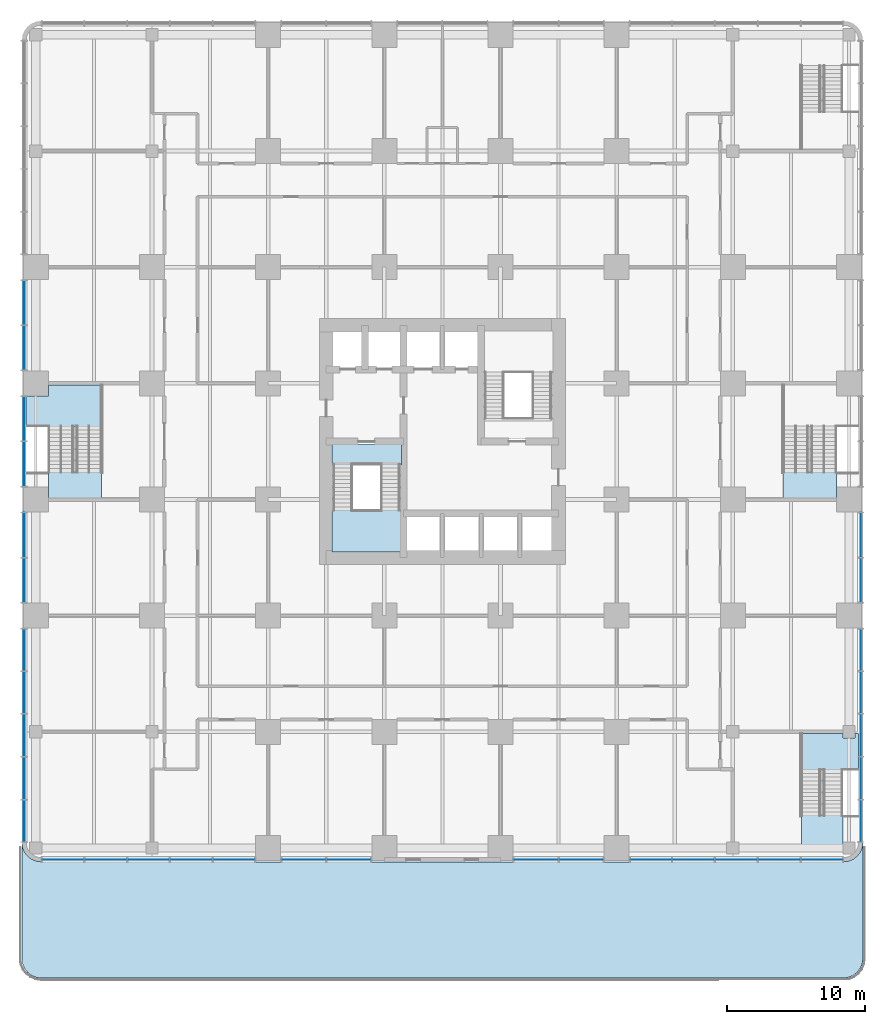
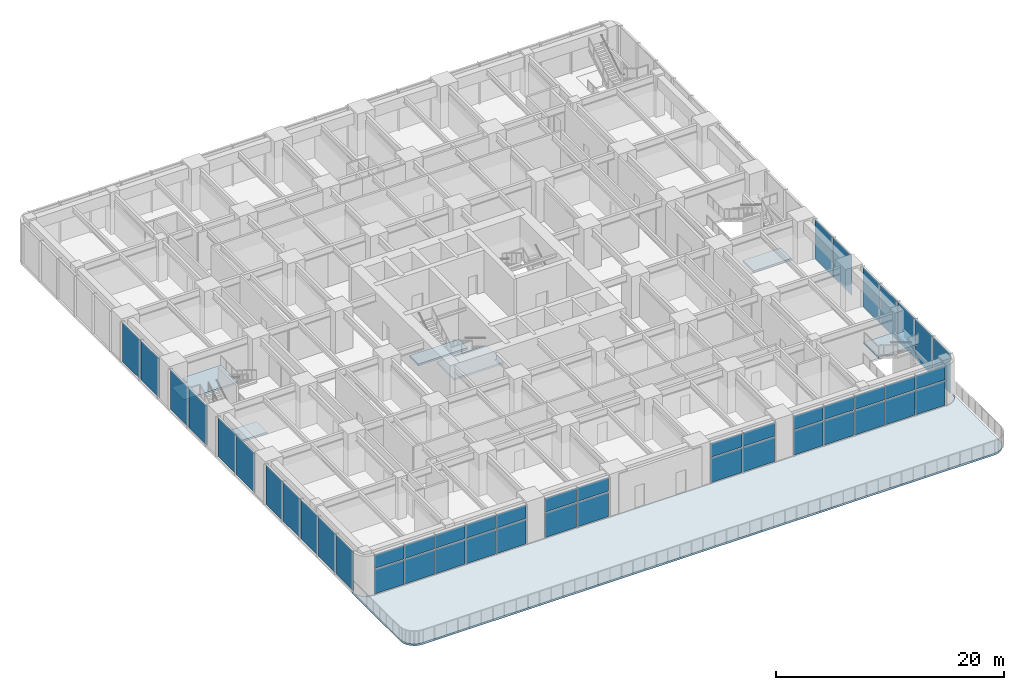
# One storey, part 8 of 19: 46 plates, 8 slabs, 8 elements without a shape of their own.
"""IFC4 building model written with IfcOpenShell, lengths in metres."""

from ifc_helpers import new_model, si_unit, direction, frame, origin, origin_2d, place, context, subcontext, project, spatial, polyline, rectangle, outline, extrude, material, layer, layer_set, type_object, element, aggregate, save


model = new_model("IFC4")

# Units and contexts
model_context = context("Model", 3, precision=1e-05, world=origin(), true_north=direction((0.0, 1.0)))
body_context = subcontext(model_context, "Body", "Model", "MODEL_VIEW")
ifc_project = project(units=[si_unit("LENGTHUNIT", "METRE"), si_unit("AREAUNIT", "SQUARE_METRE"), si_unit("VOLUMEUNIT", "CUBIC_METRE"), si_unit("PLANEANGLEUNIT", "RADIAN"), si_unit("MASSUNIT", "GRAM", prefix="KILO")], contexts=[model_context])

# Site, building, storey
site_placement = place(None, origin())
site = spatial("IfcSite", under=ifc_project, at=site_placement, CompositionType="ELEMENT")
building_placement = place(site_placement, origin())
building = spatial("IfcBuilding", under=site, at=building_placement, Name="Torre Alcanfor", CompositionType="ELEMENT")
storey_placement = place(building_placement, frame((0.0, 0.0, 15.0)))
storey = spatial("IfcBuildingStorey", under=building, at=storey_placement, Name="L03", CompositionType="ELEMENT", Elevation=15.0)

# Curtain wall, plates
ifc_material_1 = material(Name="Aluminium and glass", Category="aluminium")
curtain_wall_type_1 = type_object("IfcCurtainWallType", Name="CW-B unitised classroom glazing with vertical FIN", PredefinedType="NOTDEFINED", material=ifc_material_1)
curtain_wall_1_placement = place(storey_placement, origin())
curtain_wall_1 = element("IfcCurtainWall", 1, at=curtain_wall_1_placement, inside=storey, type_object=curtain_wall_type_1, Name="Curtain wall CW-B L03 1", PredefinedType="NOTDEFINED")
ifc_material_2 = material(Name="Glass", Category="glass")
ifc_layer_1 = layer(ifc_material_2, 0.028076171875)
ifc_layer_set_1 = layer_set([ifc_layer_1], Name="CW-B clear double glazed unit")
plate_type_1 = type_object("IfcPlateType", Name="CW-B clear double glazed unit", PredefinedType="CURTAIN_PANEL", material=ifc_layer_set_1)
plate_1_placement = place(storey_placement, frame((59.64990234375, 1.9658203125, 0.0), z_axis=(0.0, 0.0, 1.0), x_axis=(0.0, 1.0, 0.0)))
plate_1 = element("IfcPlate", 2, at=plate_1_placement, type_object=plate_type_1, Name="CW-B panel 1.1.1", PredefinedType="CURTAIN_PANEL", context=body_context, shape_type="SweptSolid", body=[
    extrude(rectangle(XDim=3.00146484375, YDim=0.028076171875, at=origin_2d()), origin(), (0.0, 0.0, 1.0), 4.235107421875),
])
plate_2_placement = place(storey_placement, frame((59.64990234375, 5.048583984375, 0.0), z_axis=(0.0, 0.0, 1.0), x_axis=(0.0, 1.0, 0.0)))
plate_2 = element("IfcPlate", 3, at=plate_2_placement, type_object=plate_type_1, Name="CW-B panel 1.2.1", PredefinedType="CURTAIN_PANEL", context=body_context, shape_type="SweptSolid", body=[
    extrude(rectangle(XDim=3.033935546875, YDim=0.028076171875, at=origin_2d()), origin(), (0.0, 0.0, 1.0), 4.235107421875),
])
plate_3_placement = place(storey_placement, frame((59.64990234375, 8.1474609375, 0.0), z_axis=(0.0, 0.0, 1.0), x_axis=(0.0, 1.0, 0.0)))
plate_3 = element("IfcPlate", 4, at=plate_3_placement, type_object=plate_type_1, Name="CW-B panel 1.3.1", PredefinedType="CURTAIN_PANEL", context=body_context, shape_type="SweptSolid", body=[
    extrude(rectangle(XDim=3.033935546875, YDim=0.028076171875, at=origin_2d()), origin(), (0.0, 0.0, 1.0), 4.235107421875),
])
plate_4_placement = place(storey_placement, frame((59.64990234375, 11.24658203125, 0.0), z_axis=(0.0, 0.0, 1.0), x_axis=(0.0, 1.0, 0.0)))
plate_4 = element("IfcPlate", 5, at=plate_4_placement, type_object=plate_type_1, Name="CW-B panel 1.4.1", PredefinedType="CURTAIN_PANEL", context=body_context, shape_type="SweptSolid", body=[
    extrude(rectangle(XDim=3.033935546875, YDim=0.028076171875, at=origin_2d()), origin(), (0.0, 0.0, 1.0), 4.235107421875),
])
plate_5_placement = place(storey_placement, frame((59.64990234375, 14.329345703125, 0.0), z_axis=(0.0, 0.0, 1.0), x_axis=(0.0, 1.0, 0.0)))
plate_5 = element("IfcPlate", 6, at=plate_5_placement, type_object=plate_type_1, Name="CW-B panel 1.5.1", PredefinedType="CURTAIN_PANEL", context=body_context, shape_type="SweptSolid", body=[
    extrude(rectangle(XDim=3.00146484375, YDim=0.028076171875, at=origin_2d()), origin(), (0.0, 0.0, 1.0), 4.235107421875),
])
plate_6_placement = place(storey_placement, frame((59.64990234375, 19.36865234375, 0.0), z_axis=(0.0, 0.0, 1.0), x_axis=(0.0, 1.0, 0.0)))
plate_6 = element("IfcPlate", 7, at=plate_6_placement, type_object=plate_type_1, Name="CW-B panel 2.1.1", PredefinedType="CURTAIN_PANEL", context=body_context, shape_type="SweptSolid", body=[
    extrude(rectangle(XDim=3.197509765625, YDim=0.028076171875, at=origin_2d()), origin(), (0.0, 0.0, 1.0), 4.235107421875),
])
plate_7_placement = place(storey_placement, frame((59.64990234375, 22.63134765625, 0.0), z_axis=(0.0, 0.0, 1.0), x_axis=(0.0, 1.0, 0.0)))
plate_7 = element("IfcPlate", 8, at=plate_7_placement, type_object=plate_type_1, Name="CW-B panel 2.2.1", PredefinedType="CURTAIN_PANEL", context=body_context, shape_type="SweptSolid", body=[
    extrude(rectangle(XDim=3.197509765625, YDim=0.028076171875, at=origin_2d()), origin(), (0.0, 0.0, 1.0), 4.235107421875),
])
aggregate(curtain_wall_1, [plate_1, plate_2, plate_3, plate_4, plate_5, plate_6, plate_7])

curtain_wall_2_placement = place(storey_placement, origin())
curtain_wall_2 = element("IfcCurtainWall", 9, at=curtain_wall_2_placement, inside=storey, type_object=curtain_wall_type_1, Name="Curtain wall CW-B L03 3", PredefinedType="NOTDEFINED")
plate_8_placement = place(storey_placement, frame((-0.85009765625, 39.43115234375, 0.0), z_axis=(0.0, 0.0, 1.0), x_axis=(0.0, -1.0, 0.0)))
plate_8 = element("IfcPlate", 10, at=plate_8_placement, type_object=plate_type_1, Name="CW-B panel 2.1.1", PredefinedType="CURTAIN_PANEL", context=body_context, shape_type="SweptSolid", body=[
    extrude(rectangle(XDim=3.197509765625, YDim=0.028076171875, at=origin_2d()), origin(), (0.0, 0.0, 1.0), 4.235107421875),
])
plate_9_placement = place(storey_placement, frame((-0.85009765625, 36.168701171875, 0.0), z_axis=(0.0, 0.0, 1.0), x_axis=(0.0, -1.0, 0.0)))
plate_9 = element("IfcPlate", 11, at=plate_9_placement, type_object=plate_type_1, Name="CW-B panel 2.2.1", PredefinedType="CURTAIN_PANEL", context=body_context, shape_type="SweptSolid", body=[
    extrude(rectangle(XDim=3.197509765625, YDim=0.028076171875, at=origin_2d()), origin(), (0.0, 0.0, 1.0), 4.235107421875),
])
plate_10_placement = place(storey_placement, frame((-0.85009765625, 31.03125, 0.0), z_axis=(0.0, 0.0, 1.0), x_axis=(0.0, -1.0, 0.0)))
plate_10 = element("IfcPlate", 12, at=plate_10_placement, type_object=plate_type_1, Name="CW-B panel 3.1.1", PredefinedType="CURTAIN_PANEL", context=body_context, shape_type="SweptSolid", body=[
    extrude(rectangle(XDim=3.197509765625, YDim=0.028076171875, at=origin_2d()), origin(), (0.0, 0.0, 1.0), 4.235107421875),
])
plate_11_placement = place(storey_placement, frame((-0.85009765625, 27.768798828125, 0.0), z_axis=(0.0, 0.0, 1.0), x_axis=(0.0, -1.0, 0.0)))
plate_11 = element("IfcPlate", 13, at=plate_11_placement, type_object=plate_type_1, Name="CW-B panel 3.2.1", PredefinedType="CURTAIN_PANEL", context=body_context, shape_type="SweptSolid", body=[
    extrude(rectangle(XDim=3.197509765625, YDim=0.028076171875, at=origin_2d()), origin(), (0.0, 0.0, 1.0), 4.235107421875),
])
plate_12_placement = place(storey_placement, frame((-0.85009765625, 22.63134765625, 0.0), z_axis=(0.0, 0.0, 1.0), x_axis=(0.0, -1.0, 0.0)))
plate_12 = element("IfcPlate", 14, at=plate_12_placement, type_object=plate_type_1, Name="CW-B panel 4.1.1", PredefinedType="CURTAIN_PANEL", context=body_context, shape_type="SweptSolid", body=[
    extrude(rectangle(XDim=3.197509765625, YDim=0.028076171875, at=origin_2d()), origin(), (0.0, 0.0, 1.0), 4.235107421875),
])
plate_13_placement = place(storey_placement, frame((-0.85009765625, 19.36865234375, 0.0), z_axis=(0.0, 0.0, 1.0), x_axis=(0.0, -1.0, 0.0)))
plate_13 = element("IfcPlate", 15, at=plate_13_placement, type_object=plate_type_1, Name="CW-B panel 4.2.1", PredefinedType="CURTAIN_PANEL", context=body_context, shape_type="SweptSolid", body=[
    extrude(rectangle(XDim=3.197509765625, YDim=0.028076171875, at=origin_2d()), origin(), (0.0, 0.0, 1.0), 4.235107421875),
])
plate_14_placement = place(storey_placement, frame((-0.85009765625, 14.329345703125, 0.0), z_axis=(0.0, 0.0, 1.0), x_axis=(0.0, -1.0, 0.0)))
plate_14 = element("IfcPlate", 16, at=plate_14_placement, type_object=plate_type_1, Name="CW-B panel 5.1.1", PredefinedType="CURTAIN_PANEL", context=body_context, shape_type="SweptSolid", body=[
    extrude(rectangle(XDim=3.00146484375, YDim=0.028076171875, at=origin_2d()), origin(), (0.0, 0.0, 1.0), 4.235107421875),
])
plate_15_placement = place(storey_placement, frame((-0.85009765625, 11.24658203125, 0.0), z_axis=(0.0, 0.0, 1.0), x_axis=(0.0, -1.0, 0.0)))
plate_15 = element("IfcPlate", 17, at=plate_15_placement, type_object=plate_type_1, Name="CW-B panel 5.2.1", PredefinedType="CURTAIN_PANEL", context=body_context, shape_type="SweptSolid", body=[
    extrude(rectangle(XDim=3.033935546875, YDim=0.028076171875, at=origin_2d()), origin(), (0.0, 0.0, 1.0), 4.235107421875),
])
plate_16_placement = place(storey_placement, frame((-0.85009765625, 8.1474609375, 0.0), z_axis=(0.0, 0.0, 1.0), x_axis=(0.0, -1.0, 0.0)))
plate_16 = element("IfcPlate", 18, at=plate_16_placement, type_object=plate_type_1, Name="CW-B panel 5.3.1", PredefinedType="CURTAIN_PANEL", context=body_context, shape_type="SweptSolid", body=[
    extrude(rectangle(XDim=3.033935546875, YDim=0.028076171875, at=origin_2d()), origin(), (0.0, 0.0, 1.0), 4.235107421875),
])
plate_17_placement = place(storey_placement, frame((-0.85009765625, 5.048583984375, 0.0), z_axis=(0.0, 0.0, 1.0), x_axis=(0.0, -1.0, 0.0)))
plate_17 = element("IfcPlate", 19, at=plate_17_placement, type_object=plate_type_1, Name="CW-B panel 5.4.1", PredefinedType="CURTAIN_PANEL", context=body_context, shape_type="SweptSolid", body=[
    extrude(rectangle(XDim=3.033935546875, YDim=0.028076171875, at=origin_2d()), origin(), (0.0, 0.0, 1.0), 4.235107421875),
])
plate_18_placement = place(storey_placement, frame((-0.85009765625, 1.9658203125, 0.0), z_axis=(0.0, 0.0, 1.0), x_axis=(0.0, -1.0, 0.0)))
plate_18 = element("IfcPlate", 20, at=plate_18_placement, type_object=plate_type_1, Name="CW-B panel 5.5.1", PredefinedType="CURTAIN_PANEL", context=body_context, shape_type="SweptSolid", body=[
    extrude(rectangle(XDim=3.00146484375, YDim=0.028076171875, at=origin_2d()), origin(), (0.0, 0.0, 1.0), 4.235107421875),
])
aggregate(curtain_wall_2, [plate_8, plate_9, plate_10, plate_11, plate_12, plate_13, plate_14, plate_15, plate_16, plate_17, plate_18])

ifc_material_3 = material(Name="Aluminium and glass", Category="aluminium")
curtain_wall_type_2 = type_object("IfcCurtainWallType", Name="CW-F south classroom glazing with SUNSHADE transom", PredefinedType="NOTDEFINED", material=ifc_material_3)
curtain_wall_3_placement = place(storey_placement, origin())
curtain_wall_3 = element("IfcCurtainWall", 21, at=curtain_wall_3_placement, inside=storey, type_object=curtain_wall_type_2, Name="Curtain wall CW-F L03 4", PredefinedType="NOTDEFINED")
ifc_material_4 = material(Name="Glass", Category="glass")
ifc_layer_2 = layer(ifc_material_4, 0.028076171875)
ifc_layer_set_2 = layer_set([ifc_layer_2], Name="CW-F clear double glazed unit")
plate_type_2 = type_object("IfcPlateType", Name="CW-F clear double glazed unit", PredefinedType="CURTAIN_PANEL", material=ifc_layer_set_2)
plate_19_placement = place(storey_placement, frame((1.9658203125, -0.85009765625, 0.0), z_axis=(0.0, 0.0, 1.0), x_axis=(1.0, 0.0, 0.0)))
plate_19 = element("IfcPlate", 22, at=plate_19_placement, type_object=plate_type_2, Name="CW-F panel 1.1.1", PredefinedType="CURTAIN_PANEL", context=body_context, shape_type="SweptSolid", body=[
    extrude(rectangle(XDim=3.00146484375, YDim=0.028076171875, at=origin_2d()), origin(), (0.0, 0.0, 1.0), 2.66748046875),
])
plate_20_placement = place(storey_placement, frame((1.9658203125, -0.85009765625, 2.732421875), z_axis=(0.0, 0.0, 1.0), x_axis=(1.0, 0.0, 0.0)))
plate_20 = element("IfcPlate", 23, at=plate_20_placement, type_object=plate_type_2, Name="CW-F panel 1.1.2", PredefinedType="CURTAIN_PANEL", context=body_context, shape_type="SweptSolid", body=[
    extrude(rectangle(XDim=3.00146484375, YDim=0.028076171875, at=origin_2d()), origin(), (0.0, 0.0, 1.0), 1.50244140625),
])
plate_21_placement = place(storey_placement, frame((5.048583984375, -0.85009765625, 0.0), z_axis=(0.0, 0.0, 1.0), x_axis=(1.0, 0.0, 0.0)))
plate_21 = element("IfcPlate", 24, at=plate_21_placement, type_object=plate_type_2, Name="CW-F panel 1.2.1", PredefinedType="CURTAIN_PANEL", context=body_context, shape_type="SweptSolid", body=[
    extrude(rectangle(XDim=3.033935546875, YDim=0.028076171875, at=origin_2d()), origin(), (0.0, 0.0, 1.0), 2.66748046875),
])
plate_22_placement = place(storey_placement, frame((5.048583984375, -0.85009765625, 2.732421875), z_axis=(0.0, 0.0, 1.0), x_axis=(1.0, 0.0, 0.0)))
plate_22 = element("IfcPlate", 25, at=plate_22_placement, type_object=plate_type_2, Name="CW-F panel 1.2.2", PredefinedType="CURTAIN_PANEL", context=body_context, shape_type="SweptSolid", body=[
    extrude(rectangle(XDim=3.033935546875, YDim=0.028076171875, at=origin_2d()), origin(), (0.0, 0.0, 1.0), 1.50244140625),
])
plate_23_placement = place(storey_placement, frame((8.1474609375, -0.85009765625, 0.0), z_axis=(0.0, 0.0, 1.0), x_axis=(1.0, 0.0, 0.0)))
plate_23 = element("IfcPlate", 26, at=plate_23_placement, type_object=plate_type_2, Name="CW-F panel 1.3.1", PredefinedType="CURTAIN_PANEL", context=body_context, shape_type="SweptSolid", body=[
    extrude(rectangle(XDim=3.033935546875, YDim=0.028076171875, at=origin_2d()), origin(), (0.0, 0.0, 1.0), 2.66748046875),
])
plate_24_placement = place(storey_placement, frame((8.1474609375, -0.85009765625, 2.732421875), z_axis=(0.0, 0.0, 1.0), x_axis=(1.0, 0.0, 0.0)))
plate_24 = element("IfcPlate", 27, at=plate_24_placement, type_object=plate_type_2, Name="CW-F panel 1.3.2", PredefinedType="CURTAIN_PANEL", context=body_context, shape_type="SweptSolid", body=[
    extrude(rectangle(XDim=3.033935546875, YDim=0.028076171875, at=origin_2d()), origin(), (0.0, 0.0, 1.0), 1.50244140625),
])
plate_25_placement = place(storey_placement, frame((11.24658203125, -0.85009765625, 0.0), z_axis=(0.0, 0.0, 1.0), x_axis=(1.0, 0.0, 0.0)))
plate_25 = element("IfcPlate", 28, at=plate_25_placement, type_object=plate_type_2, Name="CW-F panel 1.4.1", PredefinedType="CURTAIN_PANEL", context=body_context, shape_type="SweptSolid", body=[
    extrude(rectangle(XDim=3.033935546875, YDim=0.028076171875, at=origin_2d()), origin(), (0.0, 0.0, 1.0), 2.66748046875),
])
plate_26_placement = place(storey_placement, frame((11.24658203125, -0.85009765625, 2.732421875), z_axis=(0.0, 0.0, 1.0), x_axis=(1.0, 0.0, 0.0)))
plate_26 = element("IfcPlate", 29, at=plate_26_placement, type_object=plate_type_2, Name="CW-F panel 1.4.2", PredefinedType="CURTAIN_PANEL", context=body_context, shape_type="SweptSolid", body=[
    extrude(rectangle(XDim=3.033935546875, YDim=0.028076171875, at=origin_2d()), origin(), (0.0, 0.0, 1.0), 1.50244140625),
])
plate_27_placement = place(storey_placement, frame((14.329345703125, -0.85009765625, 0.0), z_axis=(0.0, 0.0, 1.0), x_axis=(1.0, 0.0, 0.0)))
plate_27 = element("IfcPlate", 30, at=plate_27_placement, type_object=plate_type_2, Name="CW-F panel 1.5.1", PredefinedType="CURTAIN_PANEL", context=body_context, shape_type="SweptSolid", body=[
    extrude(rectangle(XDim=3.00146484375, YDim=0.028076171875, at=origin_2d()), origin(), (0.0, 0.0, 1.0), 2.66748046875),
])
plate_28_placement = place(storey_placement, frame((14.329345703125, -0.85009765625, 2.732421875), z_axis=(0.0, 0.0, 1.0), x_axis=(1.0, 0.0, 0.0)))
plate_28 = element("IfcPlate", 31, at=plate_28_placement, type_object=plate_type_2, Name="CW-F panel 1.5.2", PredefinedType="CURTAIN_PANEL", context=body_context, shape_type="SweptSolid", body=[
    extrude(rectangle(XDim=3.00146484375, YDim=0.028076171875, at=origin_2d()), origin(), (0.0, 0.0, 1.0), 1.50244140625),
])
plate_29_placement = place(storey_placement, frame((19.36865234375, -0.85009765625, 0.0), z_axis=(0.0, 0.0, 1.0), x_axis=(1.0, 0.0, 0.0)))
plate_29 = element("IfcPlate", 32, at=plate_29_placement, type_object=plate_type_2, Name="CW-F panel 2.1.1", PredefinedType="CURTAIN_PANEL", context=body_context, shape_type="SweptSolid", body=[
    extrude(rectangle(XDim=3.197509765625, YDim=0.028076171875, at=origin_2d()), origin(), (0.0, 0.0, 1.0), 2.66748046875),
])
plate_30_placement = place(storey_placement, frame((19.36865234375, -0.85009765625, 2.732421875), z_axis=(0.0, 0.0, 1.0), x_axis=(1.0, 0.0, 0.0)))
plate_30 = element("IfcPlate", 33, at=plate_30_placement, type_object=plate_type_2, Name="CW-F panel 2.1.2", PredefinedType="CURTAIN_PANEL", context=body_context, shape_type="SweptSolid", body=[
    extrude(rectangle(XDim=3.197509765625, YDim=0.028076171875, at=origin_2d()), origin(), (0.0, 0.0, 1.0), 1.50244140625),
])
plate_31_placement = place(storey_placement, frame((22.63134765625, -0.85009765625, 0.0), z_axis=(0.0, 0.0, 1.0), x_axis=(1.0, 0.0, 0.0)))
plate_31 = element("IfcPlate", 34, at=plate_31_placement, type_object=plate_type_2, Name="CW-F panel 2.2.1", PredefinedType="CURTAIN_PANEL", context=body_context, shape_type="SweptSolid", body=[
    extrude(rectangle(XDim=3.197509765625, YDim=0.028076171875, at=origin_2d()), origin(), (0.0, 0.0, 1.0), 2.66748046875),
])
plate_32_placement = place(storey_placement, frame((22.63134765625, -0.85009765625, 2.732421875), z_axis=(0.0, 0.0, 1.0), x_axis=(1.0, 0.0, 0.0)))
plate_32 = element("IfcPlate", 35, at=plate_32_placement, type_object=plate_type_2, Name="CW-F panel 2.2.2", PredefinedType="CURTAIN_PANEL", context=body_context, shape_type="SweptSolid", body=[
    extrude(rectangle(XDim=3.197509765625, YDim=0.028076171875, at=origin_2d()), origin(), (0.0, 0.0, 1.0), 1.50244140625),
])
aggregate(curtain_wall_3, [plate_19, plate_20, plate_21, plate_22, plate_23, plate_24, plate_25, plate_26, plate_27, plate_28, plate_29, plate_30, plate_31, plate_32])

curtain_wall_4_placement = place(storey_placement, origin())
curtain_wall_4 = element("IfcCurtainWall", 36, at=curtain_wall_4_placement, inside=storey, type_object=curtain_wall_type_2, Name="Curtain wall CW-F L03 4", PredefinedType="NOTDEFINED")
plate_33_placement = place(storey_placement, frame((36.168701171875, -0.85009765625, 0.0), z_axis=(0.0, 0.0, 1.0), x_axis=(1.0, 0.0, 0.0)))
plate_33 = element("IfcPlate", 37, at=plate_33_placement, type_object=plate_type_2, Name="CW-F panel 1.1.1", PredefinedType="CURTAIN_PANEL", context=body_context, shape_type="SweptSolid", body=[
    extrude(rectangle(XDim=3.197509765625, YDim=0.028076171875, at=origin_2d()), origin(), (0.0, 0.0, 1.0), 2.66748046875),
])
plate_34_placement = place(storey_placement, frame((36.168701171875, -0.85009765625, 2.732421875), z_axis=(0.0, 0.0, 1.0), x_axis=(1.0, 0.0, 0.0)))
plate_34 = element("IfcPlate", 38, at=plate_34_placement, type_object=plate_type_2, Name="CW-F panel 1.1.2", PredefinedType="CURTAIN_PANEL", context=body_context, shape_type="SweptSolid", body=[
    extrude(rectangle(XDim=3.197509765625, YDim=0.028076171875, at=origin_2d()), origin(), (0.0, 0.0, 1.0), 1.50244140625),
])
plate_35_placement = place(storey_placement, frame((39.43115234375, -0.85009765625, 0.0), z_axis=(0.0, 0.0, 1.0), x_axis=(1.0, 0.0, 0.0)))
plate_35 = element("IfcPlate", 39, at=plate_35_placement, type_object=plate_type_2, Name="CW-F panel 1.2.1", PredefinedType="CURTAIN_PANEL", context=body_context, shape_type="SweptSolid", body=[
    extrude(rectangle(XDim=3.197509765625, YDim=0.028076171875, at=origin_2d()), origin(), (0.0, 0.0, 1.0), 2.66748046875),
])
plate_36_placement = place(storey_placement, frame((39.43115234375, -0.85009765625, 2.732421875), z_axis=(0.0, 0.0, 1.0), x_axis=(1.0, 0.0, 0.0)))
plate_36 = element("IfcPlate", 40, at=plate_36_placement, type_object=plate_type_2, Name="CW-F panel 1.2.2", PredefinedType="CURTAIN_PANEL", context=body_context, shape_type="SweptSolid", body=[
    extrude(rectangle(XDim=3.197509765625, YDim=0.028076171875, at=origin_2d()), origin(), (0.0, 0.0, 1.0), 1.50244140625),
])
plate_37_placement = place(storey_placement, frame((44.470703125, -0.85009765625, 0.0), z_axis=(0.0, 0.0, 1.0), x_axis=(1.0, 0.0, 0.0)))
plate_37 = element("IfcPlate", 41, at=plate_37_placement, type_object=plate_type_2, Name="CW-F panel 2.1.1", PredefinedType="CURTAIN_PANEL", context=body_context, shape_type="SweptSolid", body=[
    extrude(rectangle(XDim=3.00146484375, YDim=0.028076171875, at=origin_2d()), origin(), (0.0, 0.0, 1.0), 2.66748046875),
])
plate_38_placement = place(storey_placement, frame((44.470703125, -0.85009765625, 2.732421875), z_axis=(0.0, 0.0, 1.0), x_axis=(1.0, 0.0, 0.0)))
plate_38 = element("IfcPlate", 42, at=plate_38_placement, type_object=plate_type_2, Name="CW-F panel 2.1.2", PredefinedType="CURTAIN_PANEL", context=body_context, shape_type="SweptSolid", body=[
    extrude(rectangle(XDim=3.00146484375, YDim=0.028076171875, at=origin_2d()), origin(), (0.0, 0.0, 1.0), 1.50244140625),
])
plate_39_placement = place(storey_placement, frame((47.553466796875, -0.85009765625, 0.0), z_axis=(0.0, 0.0, 1.0), x_axis=(1.0, 0.0, 0.0)))
plate_39 = element("IfcPlate", 43, at=plate_39_placement, type_object=plate_type_2, Name="CW-F panel 2.2.1", PredefinedType="CURTAIN_PANEL", context=body_context, shape_type="SweptSolid", body=[
    extrude(rectangle(XDim=3.033935546875, YDim=0.028076171875, at=origin_2d()), origin(), (0.0, 0.0, 1.0), 2.66748046875),
])
plate_40_placement = place(storey_placement, frame((47.553466796875, -0.85009765625, 2.732421875), z_axis=(0.0, 0.0, 1.0), x_axis=(1.0, 0.0, 0.0)))
plate_40 = element("IfcPlate", 44, at=plate_40_placement, type_object=plate_type_2, Name="CW-F panel 2.2.2", PredefinedType="CURTAIN_PANEL", context=body_context, shape_type="SweptSolid", body=[
    extrude(rectangle(XDim=3.033935546875, YDim=0.028076171875, at=origin_2d()), origin(), (0.0, 0.0, 1.0), 1.50244140625),
])
plate_41_placement = place(storey_placement, frame((50.652587890625, -0.85009765625, 0.0), z_axis=(0.0, 0.0, 1.0), x_axis=(1.0, 0.0, 0.0)))
plate_41 = element("IfcPlate", 45, at=plate_41_placement, type_object=plate_type_2, Name="CW-F panel 2.3.1", PredefinedType="CURTAIN_PANEL", context=body_context, shape_type="SweptSolid", body=[
    extrude(rectangle(XDim=3.033935546875, YDim=0.028076171875, at=origin_2d()), origin(), (0.0, 0.0, 1.0), 2.66748046875),
])
plate_42_placement = place(storey_placement, frame((50.652587890625, -0.85009765625, 2.732421875), z_axis=(0.0, 0.0, 1.0), x_axis=(1.0, 0.0, 0.0)))
plate_42 = element("IfcPlate", 46, at=plate_42_placement, type_object=plate_type_2, Name="CW-F panel 2.3.2", PredefinedType="CURTAIN_PANEL", context=body_context, shape_type="SweptSolid", body=[
    extrude(rectangle(XDim=3.033935546875, YDim=0.028076171875, at=origin_2d()), origin(), (0.0, 0.0, 1.0), 1.50244140625),
])
plate_43_placement = place(storey_placement, frame((53.75146484375, -0.85009765625, 0.0), z_axis=(0.0, 0.0, 1.0), x_axis=(1.0, 0.0, 0.0)))
plate_43 = element("IfcPlate", 47, at=plate_43_placement, type_object=plate_type_2, Name="CW-F panel 2.4.1", PredefinedType="CURTAIN_PANEL", context=body_context, shape_type="SweptSolid", body=[
    extrude(rectangle(XDim=3.033935546875, YDim=0.028076171875, at=origin_2d()), origin(), (0.0, 0.0, 1.0), 2.66748046875),
])
plate_44_placement = place(storey_placement, frame((53.75146484375, -0.85009765625, 2.732421875), z_axis=(0.0, 0.0, 1.0), x_axis=(1.0, 0.0, 0.0)))
plate_44 = element("IfcPlate", 48, at=plate_44_placement, type_object=plate_type_2, Name="CW-F panel 2.4.2", PredefinedType="CURTAIN_PANEL", context=body_context, shape_type="SweptSolid", body=[
    extrude(rectangle(XDim=3.033935546875, YDim=0.028076171875, at=origin_2d()), origin(), (0.0, 0.0, 1.0), 1.50244140625),
])
plate_45_placement = place(storey_placement, frame((56.834228515625, -0.85009765625, 0.0), z_axis=(0.0, 0.0, 1.0), x_axis=(1.0, 0.0, 0.0)))
plate_45 = element("IfcPlate", 49, at=plate_45_placement, type_object=plate_type_2, Name="CW-F panel 2.5.1", PredefinedType="CURTAIN_PANEL", context=body_context, shape_type="SweptSolid", body=[
    extrude(rectangle(XDim=3.00146484375, YDim=0.028076171875, at=origin_2d()), origin(), (0.0, 0.0, 1.0), 2.66748046875),
])
plate_46_placement = place(storey_placement, frame((56.834228515625, -0.85009765625, 2.732421875), z_axis=(0.0, 0.0, 1.0), x_axis=(1.0, 0.0, 0.0)))
plate_46 = element("IfcPlate", 50, at=plate_46_placement, type_object=plate_type_2, Name="CW-F panel 2.5.2", PredefinedType="CURTAIN_PANEL", context=body_context, shape_type="SweptSolid", body=[
    extrude(rectangle(XDim=3.00146484375, YDim=0.028076171875, at=origin_2d()), origin(), (0.0, 0.0, 1.0), 1.50244140625),
])
aggregate(curtain_wall_4, [plate_33, plate_34, plate_35, plate_36, plate_37, plate_38, plate_39, plate_40, plate_41, plate_42, plate_43, plate_44, plate_45, plate_46])

# Slab
ifc_material_5 = material(Name="Concrete f'c 35 MPa", Category="concrete")
ifc_layer_3 = layer(ifc_material_5, 0.199951171875)
ifc_layer_set_3 = layer_set([ifc_layer_3], Name="Roof slab 200")
slab_type_1 = type_object("IfcSlabType", Name="Roof slab 200", PredefinedType="ROOF", material=ifc_layer_set_3)
slab_1_placement = place(storey_placement, frame((0.0, 0.0, -0.199951171875)))
element("IfcSlab", 51, at=slab_1_placement, inside=storey, type_object=slab_type_1, Name="Roof slab L03 terrace 1", PredefinedType="ROOF", context=body_context, shape_type="SweptSolid", body=[
    extrude(outline(polyline([(59.800048828125, 0.39990234375), (59.752197265625, 0.03759765625), (59.6123046875, -0.300048828125), (59.389892578125, -0.58984375), (59.10009765625, -0.8125), (58.76220703125, -0.952392578125), (58.39990234375, -1.0), (0.39990234375, -1.0), (0.03759765625, -0.952392578125), (-0.300048828125, -0.8125), (-0.58984375, -0.58984375), (-0.8125, -0.300048828125), (-0.952392578125, 0.03759765625), (-1.0, 0.39990234375), (-1.0, -8.0), (-0.952392578125, -8.3623046875), (-0.8125, -8.699951171875), (-0.58984375, -8.989990234375), (-0.300048828125, -9.21240234375), (0.03759765625, -9.352294921875), (0.39990234375, -9.39990234375), (58.39990234375, -9.39990234375), (58.76220703125, -9.352294921875), (59.10009765625, -9.21240234375), (59.389892578125, -8.989990234375), (59.6123046875, -8.699951171875), (59.752197265625, -8.3623046875), (59.800048828125, -8.0), (59.800048828125, 0.39990234375)])), origin(), (0.0, 0.0, 1.0), 0.199951171875),
])

# Stair, slabs
ifc_material_6 = material(Name="Concrete f'c 35 MPa", Category="concrete")
stair_type_1 = type_object("IfcStairType", Name="Exit stair S1 1400 wide", PredefinedType="HALF_TURN_STAIR", material=ifc_material_6)
stair_1_placement = place(storey_placement, origin())
stair_1 = element("IfcStair", 52, at=stair_1_placement, inside=storey, type_object=stair_type_1, Name="Stair S1 L03 to L04", PredefinedType="HALF_TURN_STAIR")
ifc_material_7 = material(Name="Concrete f'c 35 MPa", Category="concrete")
ifc_layer_4 = layer(ifc_material_7, 0.199951171875)
ifc_layer_set_4 = layer_set([ifc_layer_4], Name="Stair landing 200")
slab_type_2 = type_object("IfcSlabType", Name="Stair landing 200", PredefinedType="LANDING", material=ifc_layer_set_4)
slab_2_placement = place(storey_placement, frame((0.0, 0.0, -0.199951171875)))
slab_2 = element("IfcSlab", 53, at=slab_2_placement, type_object=slab_type_2, Name="S1 landing 1", PredefinedType="LANDING", context=body_context, shape_type="SweptSolid", body=[
    extrude(outline(polyline([(21.419921875, 27.699951171875), (26.429931640625, 27.699951171875), (26.429931640625, 29.22998046875), (21.419921875, 29.22998046875), (21.419921875, 27.699951171875)])), origin(), (0.0, 0.0, 1.0), 0.199951171875),
])
slab_3_placement = place(storey_placement, frame((0.0, 0.0, 2.050048828125)))
slab_3 = element("IfcSlab", 54, at=slab_3_placement, type_object=slab_type_2, Name="S1 landing 2", PredefinedType="LANDING", context=body_context, shape_type="SweptSolid", body=[
    extrude(outline(polyline([(21.419921875, 21.419921875), (26.429931640625, 21.419921875), (26.429931640625, 24.43994140625), (21.419921875, 24.43994140625), (21.419921875, 21.419921875)])), origin(), (0.0, 0.0, 1.0), 0.199951171875),
])
aggregate(stair_1, [slab_2, slab_3])

ifc_material_8 = material(Name="Concrete f'c 35 MPa", Category="concrete")
stair_type_2 = type_object("IfcStairType", Name="Exit stair SS1 1830 wide", PredefinedType="HALF_TURN_STAIR", material=ifc_material_8)
stair_2_placement = place(storey_placement, origin())
stair_2 = element("IfcStair", 55, at=stair_2_placement, inside=storey, type_object=stair_type_2, Name="Stair SS1 L03 to L04", PredefinedType="HALF_TURN_STAIR")
slab_4_placement = place(storey_placement, frame((0.0, 0.0, -0.199951171875)))
slab_4 = element("IfcSlab", 56, at=slab_4_placement, type_object=slab_type_2, Name="SS1 landing 1", PredefinedType="LANDING", context=body_context, shape_type="SweptSolid", body=[
    extrude(outline(polyline([(4.760009765625, 27.205078125), (4.760009765625, 25.324951171875), (0.89990234375, 25.324951171875), (0.89990234375, 26.10009765625), (0.89990234375, 27.205078125), (4.760009765625, 27.205078125)])), origin(), (0.0, 0.0, 1.0), 0.199951171875),
])
slab_5_placement = place(storey_placement, frame((0.0, 0.0, 2.050048828125)))
slab_5 = element("IfcSlab", 57, at=slab_5_placement, type_object=slab_type_2, Name="SS1 landing 2", PredefinedType="LANDING", context=body_context, shape_type="SweptSolid", body=[
    extrude(outline(polyline([(4.760009765625, 33.465087890625), (4.760009765625, 30.465087890625), (-0.699951171875, 30.465087890625), (-0.699951171875, 32.699951171875), (0.89990234375, 32.699951171875), (0.89990234375, 33.465087890625), (4.760009765625, 33.465087890625)])), origin(), (0.0, 0.0, 1.0), 0.199951171875),
])
aggregate(stair_2, [slab_4, slab_5])

# Stair, slab
ifc_material_9 = material(Name="Concrete f'c 35 MPa", Category="concrete")
stair_type_3 = type_object("IfcStairType", Name="Exit stair SS2 1830 wide", PredefinedType="HALF_TURN_STAIR", material=ifc_material_9)
stair_3_placement = place(storey_placement, origin())
stair_3 = element("IfcStair", 58, at=stair_3_placement, inside=storey, type_object=stair_type_3, Name="Stair SS2 L03 to L04", PredefinedType="HALF_TURN_STAIR")
slab_6_placement = place(storey_placement, frame((0.0, 0.0, -0.199951171875)))
slab_6 = element("IfcSlab", 59, at=slab_6_placement, type_object=slab_type_2, Name="SS2 landing 1", PredefinedType="LANDING", context=body_context, shape_type="SweptSolid", body=[
    extrude(outline(polyline([(54.0400390625, 25.324951171875), (54.0400390625, 27.205078125), (57.89990234375, 27.205078125), (57.89990234375, 26.10009765625), (57.89990234375, 25.324951171875), (54.0400390625, 25.324951171875)])), origin(), (0.0, 0.0, 1.0), 0.199951171875),
])
aggregate(stair_3, [slab_6])

# Stair, slabs
ifc_material_10 = material(Name="Concrete f'c 35 MPa", Category="concrete")
stair_type_4 = type_object("IfcStairType", Name="Exit stair SS3 1400 wide", PredefinedType="HALF_TURN_STAIR", material=ifc_material_10)
stair_4_placement = place(storey_placement, origin())
stair_4 = element("IfcStair", 60, at=stair_4_placement, inside=storey, type_object=stair_type_4, Name="Stair SS3 L03 to L04", PredefinedType="HALF_TURN_STAIR")
slab_7_placement = place(storey_placement, frame((0.0, 0.0, -0.199951171875)))
slab_7 = element("IfcSlab", 61, at=slab_7_placement, type_object=slab_type_2, Name="SS3 landing 1", PredefinedType="LANDING", context=body_context, shape_type="SweptSolid", body=[
    extrude(outline(polyline([(55.35009765625, 2.375), (58.35009765625, 2.375), (58.35009765625, 0.449951171875), (58.35009765625, 0.449951171875), (58.35009765625, 0.125), (55.35009765625, 0.125), (55.35009765625, 2.375)])), origin(), (0.0, 0.0, 1.0), 0.199951171875),
])
slab_8_placement = place(storey_placement, frame((0.0, 0.0, 2.050048828125)))
slab_8 = element("IfcSlab", 62, at=slab_8_placement, type_object=slab_type_2, Name="SS3 landing 2", PredefinedType="LANDING", context=body_context, shape_type="SweptSolid", body=[
    extrude(outline(polyline([(59.5, 8.264892578125), (59.5, 5.635009765625), (55.35009765625, 5.635009765625), (55.35009765625, 8.264892578125), (58.35009765625, 8.264892578125), (58.35009765625, 7.949951171875), (59.25, 7.949951171875), (59.25, 8.264892578125), (59.5, 8.264892578125)])), origin(), (0.0, 0.0, 1.0), 0.199951171875),
])
aggregate(stair_4, [slab_7, slab_8])

save(model, "model.ifc")
